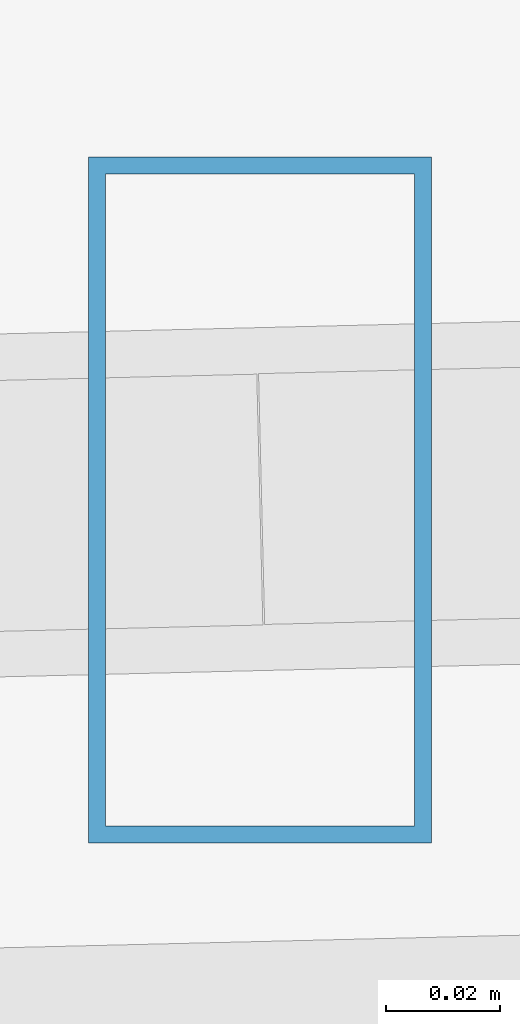
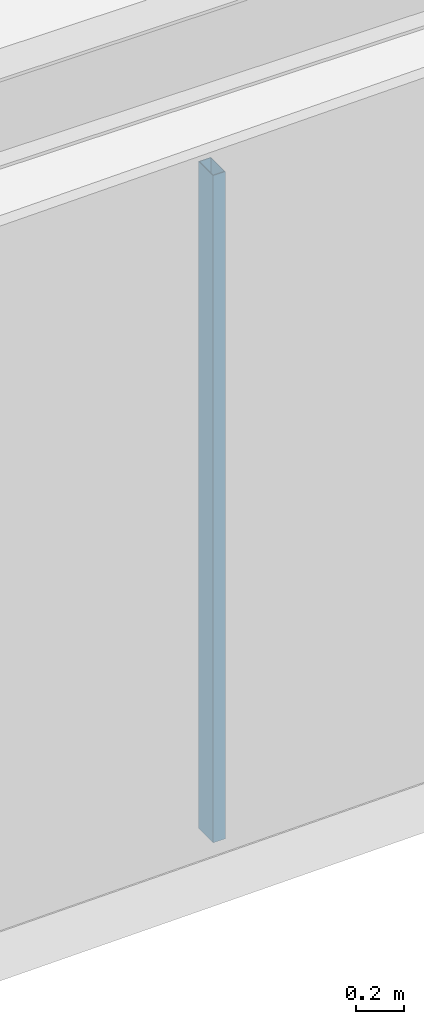
# One storey, part 13 of 48: 1 member, 1 element without a shape of its own.
"""IFC4 building model written with IfcOpenShell, lengths in metres."""

from ifc_helpers import new_model, si_unit, direction, frame, origin, origin_2d, place, context, subcontext, project, spatial, hollow_rectangle, extrude, source, transform, mapped, material, material_profile, profile_set, type_object, type_shapes, element, aggregate, save


model = new_model("IFC4")

# Units and contexts
model_context = context("Model", 3, precision=1e-05, world=origin(), true_north=direction((0.0, 1.0)))
body_context = subcontext(model_context, "Body", "Model", "MODEL_VIEW")
ifc_project = project(units=[si_unit("LENGTHUNIT", "METRE"), si_unit("AREAUNIT", "SQUARE_METRE"), si_unit("VOLUMEUNIT", "CUBIC_METRE"), si_unit("PLANEANGLEUNIT", "RADIAN"), si_unit("MASSUNIT", "GRAM", prefix="KILO")], contexts=[model_context])

# Site, building, storey
site_placement = place(None, origin())
site = spatial("IfcSite", under=ifc_project, at=site_placement, CompositionType="ELEMENT")
building_placement = place(site_placement, origin())
building = spatial("IfcBuilding", under=site, at=building_placement, Name="Caelisora Broadcast Tower", CompositionType="ELEMENT")
storey_placement = place(building_placement, frame((0.0, 0.0, 277.300048828125)))
storey = spatial("IfcBuildingStorey", under=building, at=storey_placement, Name="L73", CompositionType="ELEMENT", Elevation=277.300048828125)

# Curtain wall, member
ifc_material_1 = material(Name="Unitised Aluminium Insulated Shadow-Box Spandrel Curtain Wall", Category="aluminium")
curtain_wall_type = type_object("IfcCurtainWallType", Name="CW-SP3", PredefinedType="NOTDEFINED", material=ifc_material_1)
curtain_wall_placement = place(storey_placement, origin())
curtain_wall = element("IfcCurtainWall", 1, at=curtain_wall_placement, inside=storey, type_object=curtain_wall_type, Name="L73 curtain wall CW-SP3", PredefinedType="NOTDEFINED")
ifc_material_2 = material(Name="Aluminium 6063-T6 Anodised Terracotta Bronze", Category="aluminium")
ifc_material_profile = material_profile(ifc_material_2, hollow_rectangle(XDim=0.06005859375, YDim=0.1201171875, WallThickness=0.0029296875, at=origin_2d()), Name="Aluminium 6063-T6 Anodised Terracotta Bronze")
ifc_profile_set = profile_set([ifc_material_profile], Name="Aluminium 6063-T6 Anodised Terracotta Bronze")
member_type = type_object("IfcMemberType", Name="CWM-04", PredefinedType="MULLION", material=ifc_profile_set)
shared_shape = source(origin(), body_context, "Body", "SweptSolid", [
    extrude(hollow_rectangle(XDim=0.06005859375, YDim=0.1201171875, WallThickness=0.0029296875, at=origin_2d()), origin(), (0.0, 0.0, 1.0), 3.39990234375),
])
type_shapes(member_type, [shared_shape])
member_placement = place(storey_placement, frame((40.222412109375, 8.729248046875, 0.0), z_axis=(0.0, 0.0, 1.0), x_axis=(1.0, 0.0, 0.0)))
member = element("IfcMember", 2, at=member_placement, type_object=member_type, Name="L73-CW-B06 mullion #1", PredefinedType="MULLION", context=body_context, shape_type="MappedRepresentation", body=[
    mapped(shared_shape, transform((0.0, 0.0, 0.0), scale=1.0)),
])
aggregate(curtain_wall, [member])

save(model, "model.ifc")
